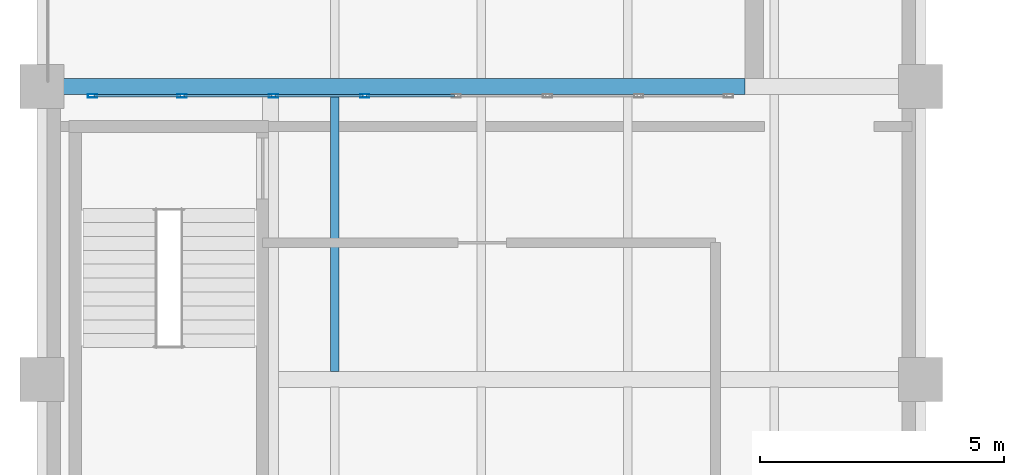
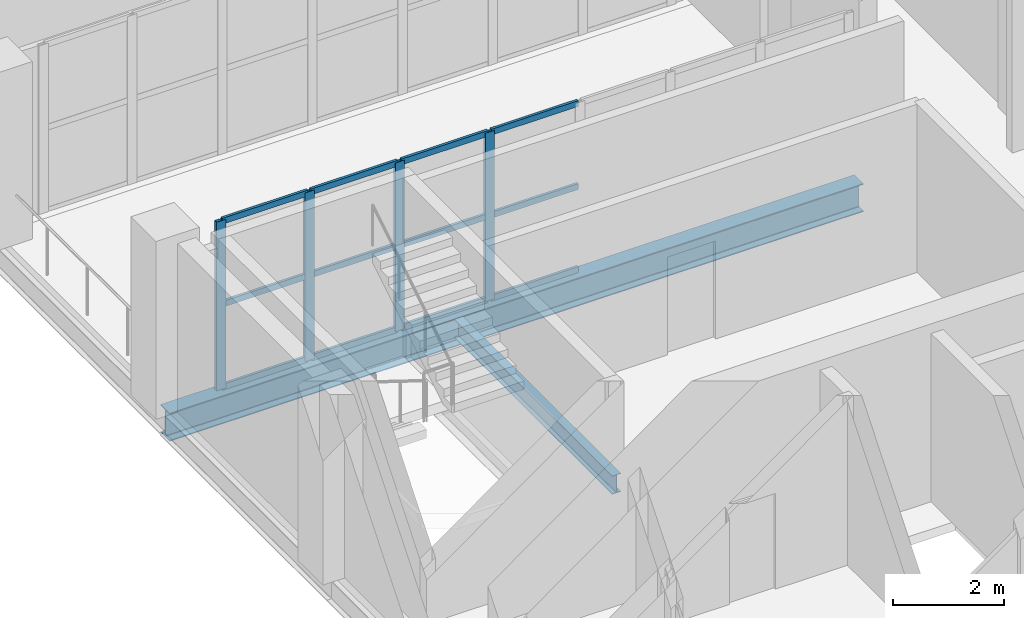
# One storey, part 2 of 11: 16 members, 2 beams, 1 element without a shape of its own.
"""IFC4 building model written with IfcOpenShell, lengths in metres."""

from ifc_helpers import new_model, si_unit, direction, frame, origin, origin_2d, place, context, subcontext, project, spatial, hollow_rectangle, i_section, extrude, material, layer, layer_set, material_profile, profile_set, type_object, element, aggregate, save


model = new_model("IFC4")

# Units and contexts
model_context = context("Model", 3, precision=1e-05, world=origin(), true_north=direction((0.0, 1.0)))
body_context = subcontext(model_context, "Body", "Model", "MODEL_VIEW")
ifc_project = project(units=[si_unit("LENGTHUNIT", "METRE"), si_unit("AREAUNIT", "SQUARE_METRE"), si_unit("VOLUMEUNIT", "CUBIC_METRE"), si_unit("PLANEANGLEUNIT", "RADIAN"), si_unit("MASSUNIT", "GRAM", prefix="KILO")], contexts=[model_context])

# Site, building, storey
site_placement = place(None, origin())
site = spatial("IfcSite", under=ifc_project, at=site_placement, CompositionType="ELEMENT")
building_placement = place(site_placement, origin())
building = spatial("IfcBuilding", under=site, at=building_placement, Name="Mawjdan Bourse Tower", CompositionType="ELEMENT")
storey_placement = place(building_placement, frame((0.0, 0.0, 191.699951171875)))
storey = spatial("IfcBuildingStorey", under=building, at=storey_placement, Name="L46", CompositionType="ELEMENT", Elevation=191.699951171875)

# Beams
ifc_material_1 = material(Name="Structural Steel S355", Category="steel")
ifc_material_profile_1 = material_profile(ifc_material_1, i_section(OverallWidth=0.324951171875, OverallDepth=0.616943359375, WebThickness=0.013916015625, FlangeThickness=0.021484375, FilletRadius=0.017333984375, at=origin_2d()), Name="W24X117")
ifc_profile_set_1 = profile_set([ifc_material_profile_1], Name="Structural Steel S355")
beam_type_1 = type_object("IfcBeamType", Name="GRD-W24X117", PredefinedType="BEAM", material=ifc_profile_set_1)
beam_1_placement = place(storey_placement, frame((6.0, 30.0, -0.508544921875), z_axis=(1.0, 0.0, 0.0), x_axis=(0.0, 1.0, 0.0)))
element("IfcBeam", 1, at=beam_1_placement, inside=storey, type_object=beam_type_1, Name="L46 North Wing Clear-Span Girder 048", PredefinedType="BEAM", context=body_context, shape_type="SweptSolid", body=[
    extrude(i_section(OverallWidth=0.324951171875, OverallDepth=0.616943359375, WebThickness=0.013916015625, FlangeThickness=0.021484375, FilletRadius=0.017333984375, at=origin_2d()), origin(), (0.0, 0.0, 1.0), 14.39990234375),
])
ifc_material_profile_2 = material_profile(ifc_material_1, i_section(OverallWidth=0.177978515625, OverallDepth=0.406982421875, WebThickness=0.0078125, FlangeThickness=0.0126953125, FilletRadius=0.01025390625, at=origin_2d()), Name="W16X40")
ifc_profile_set_2 = profile_set([ifc_material_profile_2], Name="Structural Steel S355")
beam_type_2 = type_object("IfcBeamType", Name="JST-W16X40", PredefinedType="JOIST", material=ifc_profile_set_2)
beam_2_placement = place(storey_placement, frame((12.0, 24.160400390625, -0.403564453125), z_axis=(0.0, 1.0, 0.0), x_axis=(-1.0, 0.0, 0.0)))
element("IfcBeam", 2, at=beam_2_placement, inside=storey, type_object=beam_type_2, Name="L46 North Wing Composite Joist 065", PredefinedType="JOIST", context=body_context, shape_type="SweptSolid", body=[
    extrude(i_section(OverallWidth=0.177978515625, OverallDepth=0.406982421875, WebThickness=0.0078125, FlangeThickness=0.0126953125, FilletRadius=0.01025390625, at=origin_2d()), origin(), (0.0, 0.0, 1.0), 5.67919921875),
])

# Curtain wall, members
ifc_material_2 = material(Name="Thermally Broken Aluminium and Solar Glass", Category="aluminium")
ifc_layer = layer(ifc_material_2, 0.219970703125)
ifc_layer_set = layer_set([ifc_layer], Name="Thermally Broken Aluminium and Solar Glass")
curtain_wall_type = type_object("IfcCurtainWallType", Name="CW-POR", PredefinedType="USERDEFINED", material=ifc_layer_set)
curtain_wall_placement = place(storey_placement, origin())
curtain_wall = element("IfcCurtainWall", 3, at=curtain_wall_placement, inside=storey, type_object=curtain_wall_type, Name="L46 North Void Portal Glazed Cheek 16", ObjectType="VOID PORTAL CURTAIN WALL", PredefinedType="USERDEFINED")
ifc_material_3 = material(Name="Thermally Broken Anodised Aluminium", Category="aluminium")
ifc_material_profile_3 = material_profile(ifc_material_3, hollow_rectangle(XDim=0.070068359375, YDim=0.18994140625, WallThickness=0.00439453125, at=origin_2d()), Name="ALU-MUL-190X70")
ifc_profile_set_3 = profile_set([ifc_material_profile_3], Name="Thermally Broken Anodised Aluminium")
member_type_1 = type_object("IfcMemberType", Name="MUL-ALU-MUL-190X70", PredefinedType="MULLION", material=ifc_profile_set_3)
member_1_placement = place(storey_placement, frame((12.6142578125, 29.81005859375, 0.0), z_axis=(0.0, 0.0, 1.0), x_axis=(0.0, -1.0, 0.0)))
member_1 = element("IfcMember", 4, at=member_1_placement, type_object=member_type_1, Name="CW-POR-L46-POR-N16 mullion 5", PredefinedType="MULLION", context=body_context, shape_type="SweptSolid", body=[
    extrude(hollow_rectangle(XDim=0.070068359375, YDim=0.18994140625, WallThickness=0.00439453125, at=origin_2d()), origin(), (0.0, 0.0, 1.0), 3.699951171875),
])
member_2_placement = place(storey_placement, frame((10.742919921875, 29.81005859375, 0.0), z_axis=(0.0, 0.0, 1.0), x_axis=(0.0, -1.0, 0.0)))
member_2 = element("IfcMember", 5, at=member_2_placement, type_object=member_type_1, Name="CW-POR-L46-POR-N16 mullion 6", PredefinedType="MULLION", context=body_context, shape_type="SweptSolid", body=[
    extrude(hollow_rectangle(XDim=0.070068359375, YDim=0.18994140625, WallThickness=0.00439453125, at=origin_2d()), origin(), (0.0, 0.0, 1.0), 3.699951171875),
])
member_3_placement = place(storey_placement, frame((8.871337890625, 29.81005859375, 0.0), z_axis=(0.0, 0.0, 1.0), x_axis=(0.0, -1.0, 0.0)))
member_3 = element("IfcMember", 6, at=member_3_placement, type_object=member_type_1, Name="CW-POR-L46-POR-N16 mullion 7", PredefinedType="MULLION", context=body_context, shape_type="SweptSolid", body=[
    extrude(hollow_rectangle(XDim=0.070068359375, YDim=0.18994140625, WallThickness=0.00439453125, at=origin_2d()), origin(), (0.0, 0.0, 1.0), 3.699951171875),
])
member_4_placement = place(storey_placement, frame((7.034912109375, 29.81005859375, 0.0), z_axis=(0.0, 0.0, 1.0), x_axis=(0.0, -1.0, 0.0)))
member_4 = element("IfcMember", 7, at=member_4_placement, type_object=member_type_1, Name="CW-POR-L46-POR-N16 mullion 8", PredefinedType="MULLION", context=body_context, shape_type="SweptSolid", body=[
    extrude(hollow_rectangle(XDim=0.070068359375, YDim=0.18994140625, WallThickness=0.00439453125, at=origin_2d()), origin(), (0.0, 0.0, 1.0), 3.699951171875),
])
ifc_material_profile_4 = material_profile(ifc_material_3, hollow_rectangle(XDim=0.054931640625, YDim=0.1298828125, WallThickness=0.00341796875, at=origin_2d()), Name="ALU-TRN-130X55")
ifc_profile_set_4 = profile_set([ifc_material_profile_4], Name="Thermally Broken Anodised Aluminium")
member_type_2 = type_object("IfcMemberType", Name="TRN-ALU-TRN-130X55", PredefinedType="USERDEFINED", material=ifc_profile_set_4)
member_5_placement = place(storey_placement, frame((14.45068359375, 29.81005859375, 0.027587890625), z_axis=(-1.0, 0.0, 0.0), x_axis=(0.0, -1.0, 0.0)))
member_5 = element("IfcMember", 8, at=member_5_placement, type_object=member_type_2, Name="CW-POR-L46-POR-N16 transom 4.1", ObjectType="TRANSOM", PredefinedType="USERDEFINED", context=body_context, shape_type="SweptSolid", body=[
    extrude(hollow_rectangle(XDim=0.054931640625, YDim=0.1298828125, WallThickness=0.00341796875, at=origin_2d()), origin(), (0.0, 0.0, 1.0), 1.801513671875),
])
member_6_placement = place(storey_placement, frame((14.45068359375, 29.81005859375, 1.85009765625), z_axis=(-1.0, 0.0, 0.0), x_axis=(0.0, -1.0, 0.0)))
member_6 = element("IfcMember", 9, at=member_6_placement, type_object=member_type_2, Name="CW-POR-L46-POR-N16 transom 4.2", ObjectType="TRANSOM", PredefinedType="USERDEFINED", context=body_context, shape_type="SweptSolid", body=[
    extrude(hollow_rectangle(XDim=0.054931640625, YDim=0.1298828125, WallThickness=0.00341796875, at=origin_2d()), origin(), (0.0, 0.0, 1.0), 1.801513671875),
])
member_7_placement = place(storey_placement, frame((14.45068359375, 29.81005859375, 3.672607421875), z_axis=(-1.0, 0.0, 0.0), x_axis=(0.0, -1.0, 0.0)))
member_7 = element("IfcMember", 10, at=member_7_placement, type_object=member_type_2, Name="CW-POR-L46-POR-N16 transom 4.3", ObjectType="TRANSOM", PredefinedType="USERDEFINED", context=body_context, shape_type="SweptSolid", body=[
    extrude(hollow_rectangle(XDim=0.054931640625, YDim=0.1298828125, WallThickness=0.00341796875, at=origin_2d()), origin(), (0.0, 0.0, 1.0), 1.801513671875),
])
member_8_placement = place(storey_placement, frame((12.579345703125, 29.81005859375, 0.027587890625), z_axis=(-1.0, 0.0, 0.0), x_axis=(0.0, -1.0, 0.0)))
member_8 = element("IfcMember", 11, at=member_8_placement, type_object=member_type_2, Name="CW-POR-L46-POR-N16 transom 5.1", ObjectType="TRANSOM", PredefinedType="USERDEFINED", context=body_context, shape_type="SweptSolid", body=[
    extrude(hollow_rectangle(XDim=0.054931640625, YDim=0.1298828125, WallThickness=0.00341796875, at=origin_2d()), origin(), (0.0, 0.0, 1.0), 1.801513671875),
])
member_9_placement = place(storey_placement, frame((12.579345703125, 29.81005859375, 1.85009765625), z_axis=(-1.0, 0.0, 0.0), x_axis=(0.0, -1.0, 0.0)))
member_9 = element("IfcMember", 12, at=member_9_placement, type_object=member_type_2, Name="CW-POR-L46-POR-N16 transom 5.2", ObjectType="TRANSOM", PredefinedType="USERDEFINED", context=body_context, shape_type="SweptSolid", body=[
    extrude(hollow_rectangle(XDim=0.054931640625, YDim=0.1298828125, WallThickness=0.00341796875, at=origin_2d()), origin(), (0.0, 0.0, 1.0), 1.801513671875),
])
member_10_placement = place(storey_placement, frame((12.579345703125, 29.81005859375, 3.672607421875), z_axis=(-1.0, 0.0, 0.0), x_axis=(0.0, -1.0, 0.0)))
member_10 = element("IfcMember", 13, at=member_10_placement, type_object=member_type_2, Name="CW-POR-L46-POR-N16 transom 5.3", ObjectType="TRANSOM", PredefinedType="USERDEFINED", context=body_context, shape_type="SweptSolid", body=[
    extrude(hollow_rectangle(XDim=0.054931640625, YDim=0.1298828125, WallThickness=0.00341796875, at=origin_2d()), origin(), (0.0, 0.0, 1.0), 1.801513671875),
])
member_11_placement = place(storey_placement, frame((10.707763671875, 29.81005859375, 0.027587890625), z_axis=(-1.0, 0.0, 0.0), x_axis=(0.0, -1.0, 0.0)))
member_11 = element("IfcMember", 14, at=member_11_placement, type_object=member_type_2, Name="CW-POR-L46-POR-N16 transom 6.1", ObjectType="TRANSOM", PredefinedType="USERDEFINED", context=body_context, shape_type="SweptSolid", body=[
    extrude(hollow_rectangle(XDim=0.054931640625, YDim=0.1298828125, WallThickness=0.00341796875, at=origin_2d()), origin(), (0.0, 0.0, 1.0), 1.80126953125),
])
member_12_placement = place(storey_placement, frame((10.707763671875, 29.81005859375, 1.85009765625), z_axis=(-1.0, 0.0, 0.0), x_axis=(0.0, -1.0, 0.0)))
member_12 = element("IfcMember", 15, at=member_12_placement, type_object=member_type_2, Name="CW-POR-L46-POR-N16 transom 6.2", ObjectType="TRANSOM", PredefinedType="USERDEFINED", context=body_context, shape_type="SweptSolid", body=[
    extrude(hollow_rectangle(XDim=0.054931640625, YDim=0.1298828125, WallThickness=0.00341796875, at=origin_2d()), origin(), (0.0, 0.0, 1.0), 1.80126953125),
])
member_13_placement = place(storey_placement, frame((10.707763671875, 29.81005859375, 3.672607421875), z_axis=(-1.0, 0.0, 0.0), x_axis=(0.0, -1.0, 0.0)))
member_13 = element("IfcMember", 16, at=member_13_placement, type_object=member_type_2, Name="CW-POR-L46-POR-N16 transom 6.3", ObjectType="TRANSOM", PredefinedType="USERDEFINED", context=body_context, shape_type="SweptSolid", body=[
    extrude(hollow_rectangle(XDim=0.054931640625, YDim=0.1298828125, WallThickness=0.00341796875, at=origin_2d()), origin(), (0.0, 0.0, 1.0), 1.80126953125),
])
member_14_placement = place(storey_placement, frame((8.83642578125, 29.81005859375, 0.027587890625), z_axis=(-1.0, 0.0, 0.0), x_axis=(0.0, -1.0, 0.0)))
member_14 = element("IfcMember", 17, at=member_14_placement, type_object=member_type_2, Name="CW-POR-L46-POR-N16 transom 7.1", ObjectType="TRANSOM", PredefinedType="USERDEFINED", context=body_context, shape_type="SweptSolid", body=[
    extrude(hollow_rectangle(XDim=0.054931640625, YDim=0.1298828125, WallThickness=0.00341796875, at=origin_2d()), origin(), (0.0, 0.0, 1.0), 1.766357421875),
])
member_15_placement = place(storey_placement, frame((8.83642578125, 29.81005859375, 1.85009765625), z_axis=(-1.0, 0.0, 0.0), x_axis=(0.0, -1.0, 0.0)))
member_15 = element("IfcMember", 18, at=member_15_placement, type_object=member_type_2, Name="CW-POR-L46-POR-N16 transom 7.2", ObjectType="TRANSOM", PredefinedType="USERDEFINED", context=body_context, shape_type="SweptSolid", body=[
    extrude(hollow_rectangle(XDim=0.054931640625, YDim=0.1298828125, WallThickness=0.00341796875, at=origin_2d()), origin(), (0.0, 0.0, 1.0), 1.766357421875),
])
member_16_placement = place(storey_placement, frame((8.83642578125, 29.81005859375, 3.672607421875), z_axis=(-1.0, 0.0, 0.0), x_axis=(0.0, -1.0, 0.0)))
member_16 = element("IfcMember", 19, at=member_16_placement, type_object=member_type_2, Name="CW-POR-L46-POR-N16 transom 7.3", ObjectType="TRANSOM", PredefinedType="USERDEFINED", context=body_context, shape_type="SweptSolid", body=[
    extrude(hollow_rectangle(XDim=0.054931640625, YDim=0.1298828125, WallThickness=0.00341796875, at=origin_2d()), origin(), (0.0, 0.0, 1.0), 1.766357421875),
])
aggregate(curtain_wall, [member_1, member_2, member_3, member_4, member_5, member_6, member_7, member_8, member_9, member_10, member_11, member_12, member_13, member_14, member_15, member_16])

save(model, "model.ifc")
